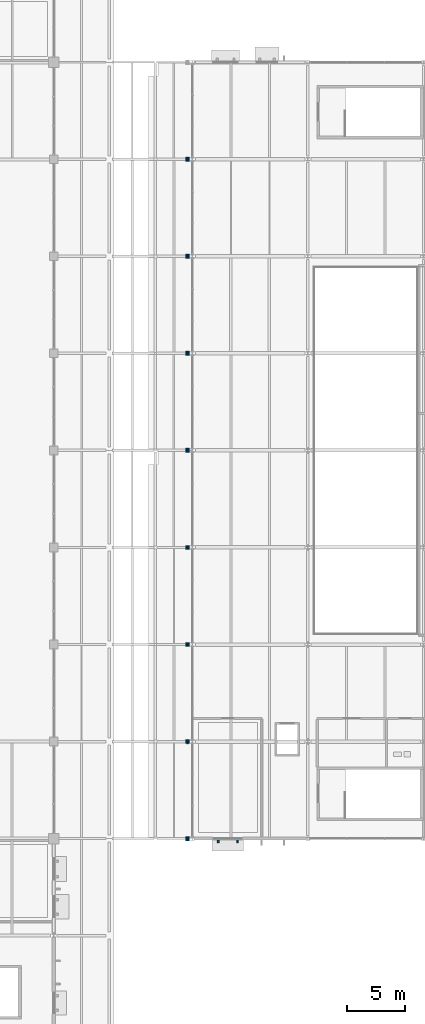
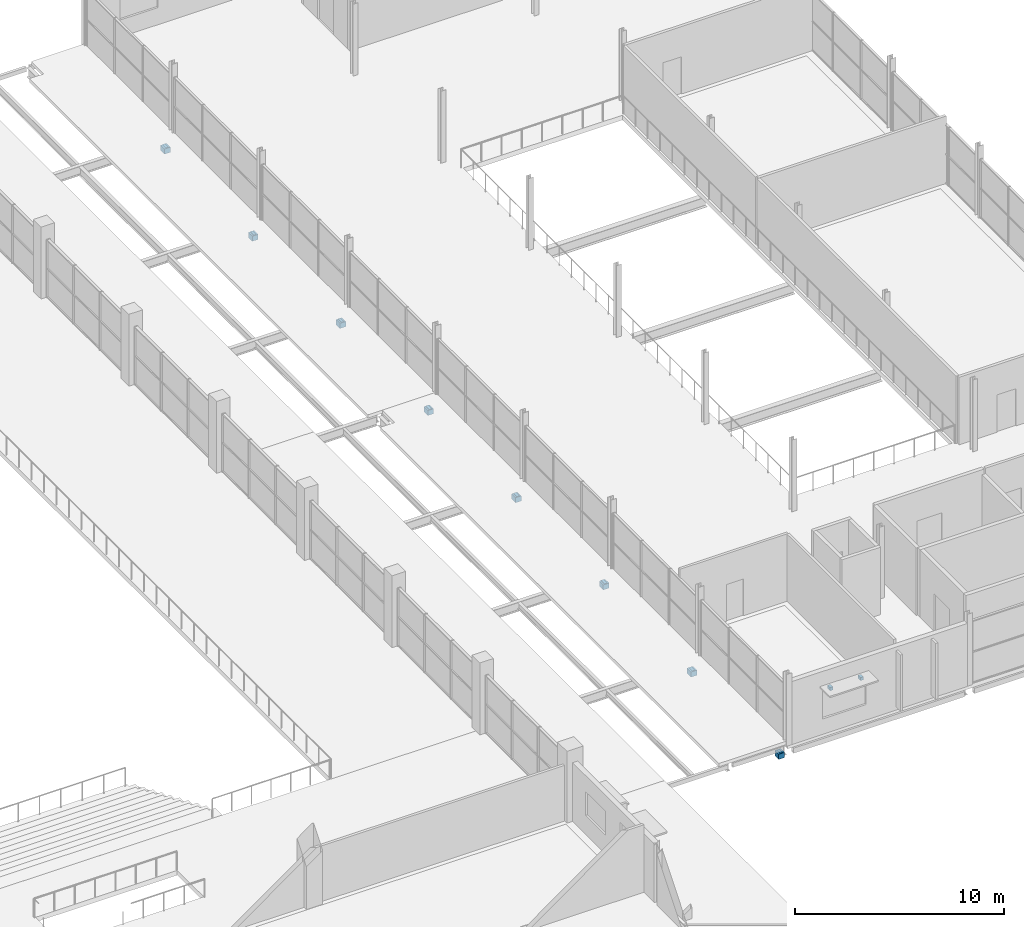
# One storey, part 146 of 161: 18 discrete accessories.
"""IFC4 building model written with IfcOpenShell, lengths in metres."""

from ifc_helpers import new_model, si_unit, direction, frame, origin, origin_2d, place, context, subcontext, project, spatial, rectangle, extrude, material, layer, layer_set, type_object, element, save


model = new_model("IFC4")

# Units and contexts
model_context = context("Model", 3, precision=1e-05, world=origin(), true_north=direction((0.0, 1.0)))
body_context = subcontext(model_context, "Body", "Model", "MODEL_VIEW")
ifc_project = project(units=[si_unit("LENGTHUNIT", "METRE"), si_unit("AREAUNIT", "SQUARE_METRE"), si_unit("VOLUMEUNIT", "CUBIC_METRE"), si_unit("PLANEANGLEUNIT", "RADIAN"), si_unit("MASSUNIT", "GRAM", prefix="KILO"), si_unit("THERMODYNAMICTEMPERATUREUNIT", "KELVIN")], contexts=[model_context])

# Site, building, storey
site_placement = place(None, origin())
site = spatial("IfcSite", under=ifc_project, at=site_placement, CompositionType="ELEMENT")
building_placement = place(site_placement, origin())
building = spatial("IfcBuilding", under=site, at=building_placement, Name="Nduvali Passage Aquatics Centre", CompositionType="ELEMENT")
storey_placement = place(building_placement, frame((0.0, 0.0, 4.800048828125)))
storey = spatial("IfcBuildingStorey", under=building, at=storey_placement, Name="L01", CompositionType="ELEMENT", Elevation=4.800048828125)

# Discrete accessories
ifc_material_1 = material(Name="Steel S355", Category="steel")
discrete_accessory_type_1 = type_object("IfcDiscreteAccessoryType", Name="ENV-BRK-S355", PredefinedType="BRACKET", material=ifc_material_1)
for number, where, z_axis, x_axis, name in (
    (1, (140.222900390625, 24.949951171875, 2.5849609375), (0.0, 0.0, 1.0), (1.0, 0.0, 0.0), "L01 Sunshade Bracket 0171"),
    (2, (141.903076171875, 24.949951171875, 2.5849609375), (0.0, 0.0, 1.0), (1.0, 0.0, 0.0), "L01 Sunshade Bracket 0172"),
):
    element("IfcDiscreteAccessory", number, at=place(storey_placement, frame(where, z_axis=z_axis, x_axis=x_axis)), inside=storey, type_object=discrete_accessory_type_1, Name=name, PredefinedType="BRACKET", context=body_context, shape_type="SweptSolid", body=[
        extrude(rectangle(XDim=0.159912109375, YDim=0.239990234375, at=origin_2d()), origin(), (0.0, 0.0, 1.0), 0.179931640625),
    ])
ifc_material_2 = material(Name="Concrete C40/50", Category="concrete")
discrete_accessory_type_2 = type_object("IfcDiscreteAccessoryType", Name="STR-ACC-CRB320", PredefinedType="BRACKET", material=ifc_material_2)
for number, where, z_axis, x_axis, name in (
    (3, (137.56494140625, 25.199951171875, -0.576171875), (0.0, 0.0, 1.0), (1.0, 0.0, 0.0), "L01 Movement Joint MJ3 RC Corbel CRB1-016"),
    (4, (137.56494140625, 33.60009765625, -0.86572265625), (0.0, 0.0, 1.0), (1.0, 0.0, 0.0), "L01 Movement Joint MJ3 RC Corbel CRB1-017"),
    (5, (137.56494140625, 42.0, -0.86572265625), (0.0, 0.0, 1.0), (1.0, 0.0, 0.0), "L01 Movement Joint MJ3 RC Corbel CRB1-018"),
    (6, (137.56494140625, 50.39990234375, -0.86572265625), (0.0, 0.0, 1.0), (1.0, 0.0, 0.0), "L01 Movement Joint MJ3 RC Corbel CRB1-019"),
    (7, (137.56494140625, 58.800048828125, -0.86572265625), (0.0, 0.0, 1.0), (1.0, 0.0, 0.0), "L01 Movement Joint MJ3 RC Corbel CRB1-020"),
    (8, (137.56494140625, 67.199951171875, -0.86572265625), (0.0, 0.0, 1.0), (1.0, 0.0, 0.0), "L01 Movement Joint MJ3 RC Corbel CRB1-021"),
    (9, (137.56494140625, 75.60009765625, -0.86572265625), (0.0, 0.0, 1.0), (1.0, 0.0, 0.0), "L01 Movement Joint MJ3 RC Corbel CRB1-022"),
    (10, (137.56494140625, 84.0, -0.86572265625), (0.0, 0.0, 1.0), (1.0, 0.0, 0.0), "L01 Movement Joint MJ3 RC Corbel CRB1-023"),
):
    element("IfcDiscreteAccessory", number, at=place(storey_placement, frame(where, z_axis=z_axis, x_axis=x_axis)), inside=storey, type_object=discrete_accessory_type_2, Name=name, PredefinedType="BRACKET", context=body_context, shape_type="SweptSolid", body=[
        extrude(rectangle(XDim=0.320068359375, YDim=0.3798828125, at=origin_2d()), origin(), (0.0, 0.0, 1.0), 0.300048828125),
    ])
ifc_layer = layer(ifc_material_1, 0.02197265625, Name="Steel S355")
ifc_layer_set = layer_set([ifc_layer], Name="Steel S355")
discrete_accessory_type_3 = type_object("IfcDiscreteAccessoryType", Name="STR-ACC-PTFE140", PredefinedType="SHOE", material=ifc_layer_set)
for number, where, z_axis, x_axis, name in (
    (11, (137.56494140625, 25.199951171875, -0.276123046875), (0.0, 0.0, 1.0), (1.0, 0.0, 0.0), "L01 Movement Joint MJ3 PTFE Bearing Pad PTFE1-016"),
    (12, (137.56494140625, 33.60009765625, -0.5654296875), (0.0, 0.0, 1.0), (1.0, 0.0, 0.0), "L01 Movement Joint MJ3 PTFE Bearing Pad PTFE1-017"),
    (13, (137.56494140625, 42.0, -0.5654296875), (0.0, 0.0, 1.0), (1.0, 0.0, 0.0), "L01 Movement Joint MJ3 PTFE Bearing Pad PTFE1-018"),
    (14, (137.56494140625, 50.39990234375, -0.5654296875), (0.0, 0.0, 1.0), (1.0, 0.0, 0.0), "L01 Movement Joint MJ3 PTFE Bearing Pad PTFE1-019"),
    (15, (137.56494140625, 58.800048828125, -0.5654296875), (0.0, 0.0, 1.0), (1.0, 0.0, 0.0), "L01 Movement Joint MJ3 PTFE Bearing Pad PTFE1-020"),
    (16, (137.56494140625, 67.199951171875, -0.5654296875), (0.0, 0.0, 1.0), (1.0, 0.0, 0.0), "L01 Movement Joint MJ3 PTFE Bearing Pad PTFE1-021"),
    (17, (137.56494140625, 75.60009765625, -0.5654296875), (0.0, 0.0, 1.0), (1.0, 0.0, 0.0), "L01 Movement Joint MJ3 PTFE Bearing Pad PTFE1-022"),
    (18, (137.56494140625, 84.0, -0.5654296875), (0.0, 0.0, 1.0), (1.0, 0.0, 0.0), "L01 Movement Joint MJ3 PTFE Bearing Pad PTFE1-023"),
):
    element("IfcDiscreteAccessory", number, at=place(storey_placement, frame(where, z_axis=z_axis, x_axis=x_axis)), inside=storey, type_object=discrete_accessory_type_3, Name=name, PredefinedType="SHOE", context=body_context, shape_type="SweptSolid", body=[
        extrude(rectangle(XDim=0.139892578125, YDim=0.340087890625, at=origin_2d()), origin(), (0.0, 0.0, 1.0), 0.02197265625),
    ])

save(model, "model.ifc")
